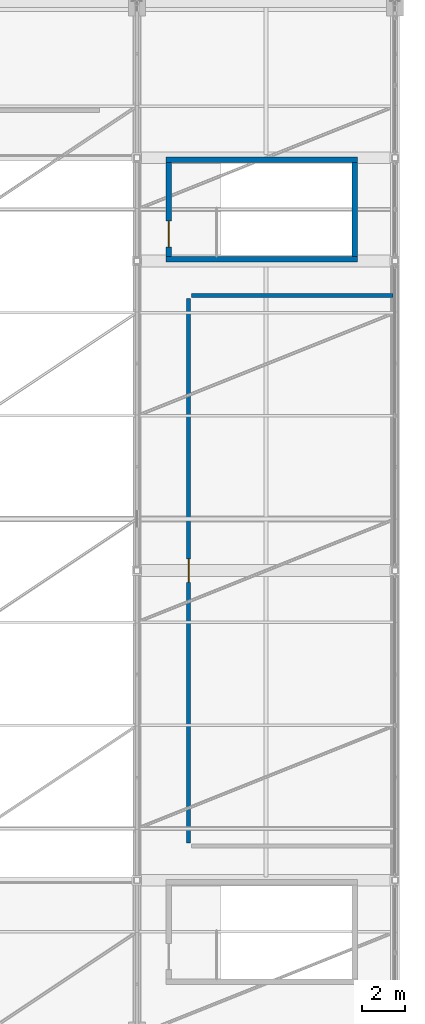
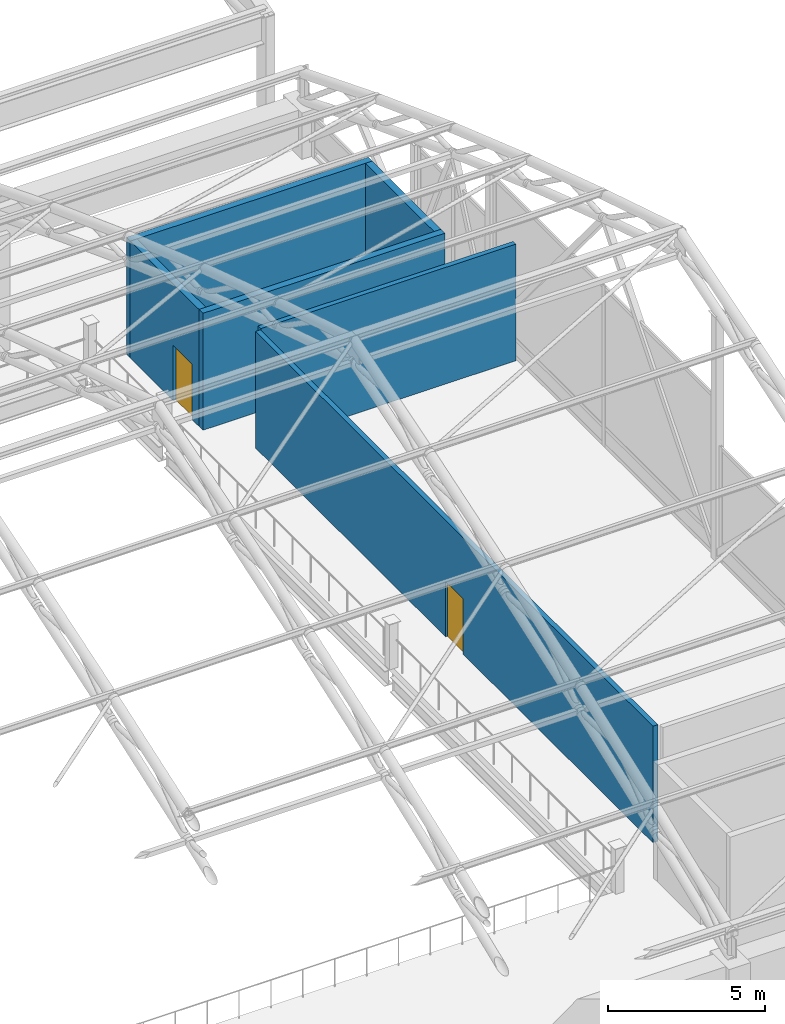
# One storey, part 96 of 116: 6 walls, 2 doors, 2 openings.
"""IFC4 building model written with IfcOpenShell, lengths in metres."""

from ifc_helpers import new_model, si_unit, direction, frame, frame_2d, origin, place, context, subcontext, project, spatial, rectangle, extrude, material, layer, layer_set, type_object, element, fill, save


model = new_model("IFC4")

# Units and contexts
model_context = context("Model", 3, precision=1e-05, world=origin(), true_north=direction((0.0, 1.0)))
body_context = subcontext(model_context, "Body", "Model", "MODEL_VIEW")
ifc_project = project(units=[si_unit("LENGTHUNIT", "METRE"), si_unit("AREAUNIT", "SQUARE_METRE"), si_unit("VOLUMEUNIT", "CUBIC_METRE"), si_unit("PLANEANGLEUNIT", "RADIAN"), si_unit("MASSUNIT", "GRAM", prefix="KILO")], contexts=[model_context])

# Site, building, storey
site_placement = place(None, origin())
site = spatial("IfcSite", under=ifc_project, at=site_placement, CompositionType="ELEMENT")
building_placement = place(site_placement, origin())
building = spatial("IfcBuilding", under=site, at=building_placement, Name="Cendralis Lancet Convention Centre", CompositionType="ELEMENT")
storey_placement = place(building_placement, frame((0.0, 0.0, 15.0)))
storey = spatial("IfcBuildingStorey", under=building, at=storey_placement, Name="L03", CompositionType="ELEMENT", Elevation=15.0)

# Wall
ifc_material_1 = material(Name="Acoustic fire-rated gypsum board on steel studs", Category="steel")
ifc_layer_1 = layer(ifc_material_1, 0.179931640625, Name="Acoustic fire-rated gypsum board on steel studs")
ifc_layer_set_1 = layer_set([ifc_layer_1], Name="Acoustic fire-rated gypsum board on steel studs")
wall_type_1 = type_object("IfcWallType", Name="ARC-IW-P180", PredefinedType="PARTITIONING", material=ifc_layer_set_1)
wall_1_placement = place(storey_placement, frame((199.340087890625, 77.60009765625, 0.0), z_axis=(0.0, 0.0, 1.0), x_axis=(1.0, 0.0, 0.0)))
element("IfcWall", 1, at=wall_1_placement, inside=storey, type_object=wall_type_1, Name="L03 Interior Partition IW-02 #0122", PredefinedType="PARTITIONING", context=body_context, shape_type="SweptSolid", body=[
    extrude(rectangle(XDim=9.3798828125, YDim=0.179931640625, at=frame_2d((4.68994140625, 0.0))), origin(), (0.0, 0.0, 1.0), 4.534912109375),
])

# Wall, opening, door
wall_2_placement = place(storey_placement, frame((199.199951171875, 52.139892578125, 0.0), z_axis=(0.0, 0.0, 1.0), x_axis=(0.0, 1.0, 0.0)))
wall_2 = element("IfcWall", 2, at=wall_2_placement, inside=storey, type_object=wall_type_1, Name="L03 Interior Partition IW-02 #0123", PredefinedType="PARTITIONING", context=body_context, shape_type="SweptSolid", body=[
    extrude(rectangle(XDim=25.320068359375, YDim=0.179931640625, at=frame_2d((12.66015625, 0.0))), origin(), (0.0, 0.0, 1.0), 4.534912109375),
])
opening_1_placement = place(wall_2_placement, frame((12.110107421875, 0.0, 0.0)))
opening_1 = element("IfcOpeningElement", 3, at=opening_1_placement, cuts=wall_2, Name="Opening FD-11", PredefinedType="OPENING", context=body_context, shape_type="SweptSolid", body=[
    extrude(rectangle(XDim=1.10009765625, YDim=2.14990234375, at=frame_2d((0.550048828125, 1.074951171875))), frame((0.0, 0.099853515625, 0.0), z_axis=(0.0, -1.0, 0.0), x_axis=(1.0, 0.0, 0.0)), (0.0, 0.0, 1.0), 0.199951171875),
])
ifc_material_2 = material(Name="Steel S355", Category="steel")
door_type_1 = type_object("IfcDoorType", Name="ARC-DR-FF11", OperationType="NOTDEFINED", PredefinedType="DOOR", material=ifc_material_2)
door_1_placement = place(opening_1_placement, origin())
door_1 = element("IfcDoor", 4, at=door_1_placement, inside=storey, type_object=door_type_1, Name="L03-D005 L03 Interior Door FD-11 #0040", OperationType="SINGLE_SWING_RIGHT", OverallHeight=2.14990234375, OverallWidth=1.10009765625, PredefinedType="DOOR", context=body_context, shape_type="SweptSolid", body=[
    extrude(rectangle(XDim=1.10009765625, YDim=2.14990234375, at=frame_2d((0.550048828125, 1.074951171875))), frame((0.0, 0.02490234375, 0.0), z_axis=(0.0, -1.0, 0.0), x_axis=(1.0, 0.0, 0.0)), (0.0, 0.0, 1.0), 0.050048828125),
])
fill(opening_1, door_1)

ifc_material_3 = material(Name="Concrete G40 (C40/50)", Category="concrete")
ifc_layer_2 = layer(ifc_material_3, 0.25, Name="Concrete G40 (C40/50)")
ifc_layer_set_2 = layer_set([ifc_layer_2], Name="Concrete G40 (C40/50)")
wall_type_2 = type_object("IfcWallType", Name="STR-SW-CW250", PredefinedType="SHEAR", material=ifc_layer_set_2)
wall_3_placement = place(storey_placement, frame((198.27490234375, 79.39990234375, 0.0), z_axis=(0.0, 0.0, 1.0), x_axis=(0.0, 1.0, 0.0)))
wall_3 = element("IfcWall", 5, at=wall_3_placement, inside=storey, type_object=wall_type_2, Name="L03 Stair Core ST-10 West Shear Wall", PredefinedType="SHEAR", context=body_context, shape_type="SweptSolid", body=[
    extrude(rectangle(XDim=4.380126953125, YDim=0.25, at=frame_2d((2.18994140625, 0.0))), origin(), (0.0, 0.0, 1.0), 4.550048828125),
])
opening_2_placement = place(wall_3_placement, frame((0.449951171875, 0.0, 0.0)))
opening_2 = element("IfcOpeningElement", 6, at=opening_2_placement, cuts=wall_3, Name="Opening SD-12", PredefinedType="OPENING", context=body_context, shape_type="SweptSolid", body=[
    extrude(rectangle(XDim=1.199951171875, YDim=2.14990234375, at=frame_2d((0.60009765625, 1.074951171875))), frame((0.0, 0.135009765625, 0.0), z_axis=(0.0, -1.0, 0.0), x_axis=(1.0, 0.0, 0.0)), (0.0, 0.0, 1.0), 0.27001953125),
])
door_type_2 = type_object("IfcDoorType", Name="ARC-DR-ST12", OperationType="NOTDEFINED", PredefinedType="DOOR", material=ifc_material_2)
door_2_placement = place(opening_2_placement, frame((1.199951171875, 0.0, 0.0), z_axis=(0.0, 0.0, 1.0), x_axis=(-1.0, 0.0, 0.0)))
door_2 = element("IfcDoor", 7, at=door_2_placement, inside=storey, type_object=door_type_2, Name="L03-D054 L03 Exit Stair ST-10 Fire Door", OperationType="SINGLE_SWING_RIGHT", OverallHeight=2.14990234375, OverallWidth=1.199951171875, PredefinedType="DOOR", context=body_context, shape_type="SweptSolid", body=[
    extrude(rectangle(XDim=1.199951171875, YDim=2.14990234375, at=frame_2d((0.60009765625, 1.074951171875))), frame((0.0, 0.02490234375, 0.0), z_axis=(0.0, -1.0, 0.0), x_axis=(1.0, 0.0, 0.0)), (0.0, 0.0, 1.0), 0.050048828125),
])
fill(opening_2, door_2)

# Walls
wall_4_placement = place(storey_placement, frame((206.925048828125, 79.39990234375, 0.0), z_axis=(0.0, 0.0, 1.0), x_axis=(0.0, 1.0, 0.0)))
element("IfcWall", 8, at=wall_4_placement, inside=storey, type_object=wall_type_2, Name="L03 Stair Core ST-10 East Shear Wall", PredefinedType="SHEAR", context=body_context, shape_type="SweptSolid", body=[
    extrude(rectangle(XDim=4.380126953125, YDim=0.25, at=frame_2d((2.18994140625, 0.0))), origin(), (0.0, 0.0, 1.0), 4.550048828125),
])
for number, where, z_axis, x_axis, name in (
    (9, (198.14990234375, 79.27490234375, 0.0), (0.0, 0.0, 1.0), (1.0, 0.0, 0.0), "L03 Stair Core ST-10 South Shear Wall"),
    (10, (198.14990234375, 83.905029296875, 0.0), (0.0, 0.0, 1.0), (1.0, 0.0, 0.0), "L03 Stair Core ST-10 North Shear Wall"),
):
    element("IfcWall", number, at=place(storey_placement, frame(where, z_axis=z_axis, x_axis=x_axis)), inside=storey, type_object=wall_type_2, Name=name, PredefinedType="SHEAR", context=body_context, shape_type="SweptSolid", body=[
        extrude(rectangle(XDim=8.900146484375, YDim=0.25, at=frame_2d((4.4501953125, 0.0))), origin(), (0.0, 0.0, 1.0), 4.550048828125),
    ])

save(model, "model.ifc")
